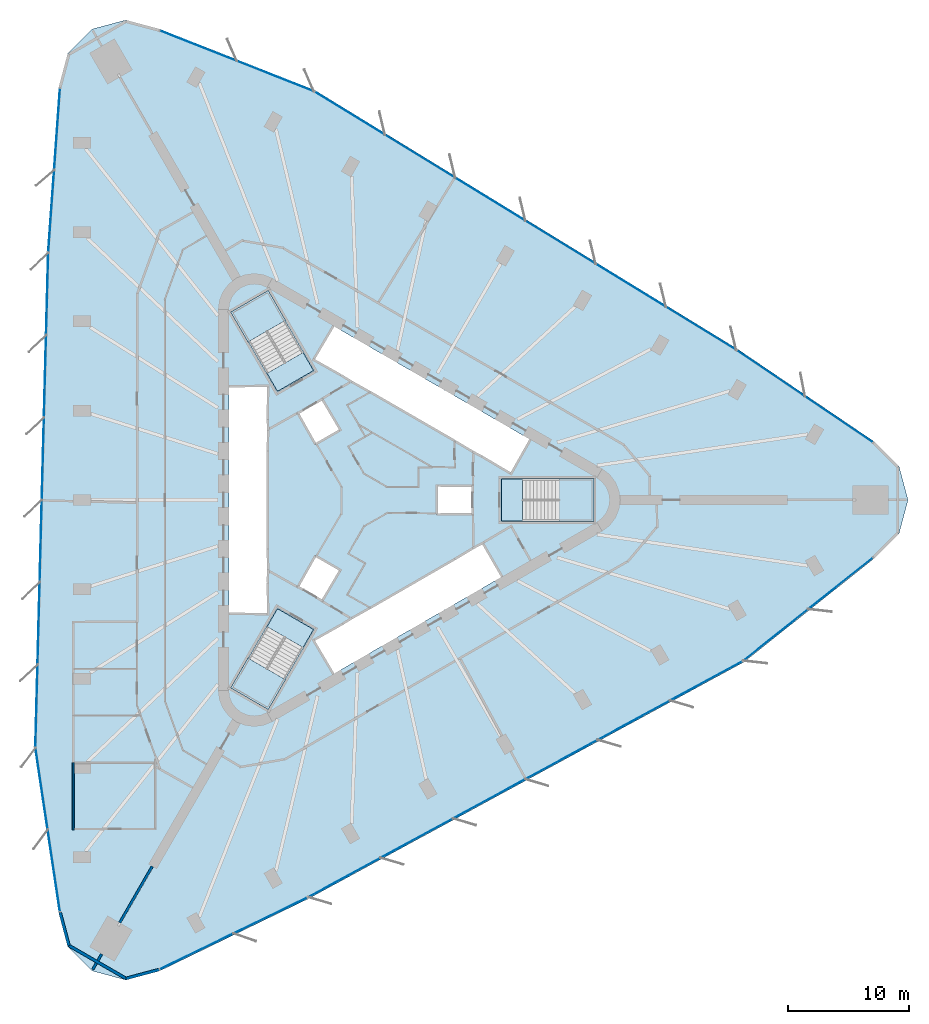
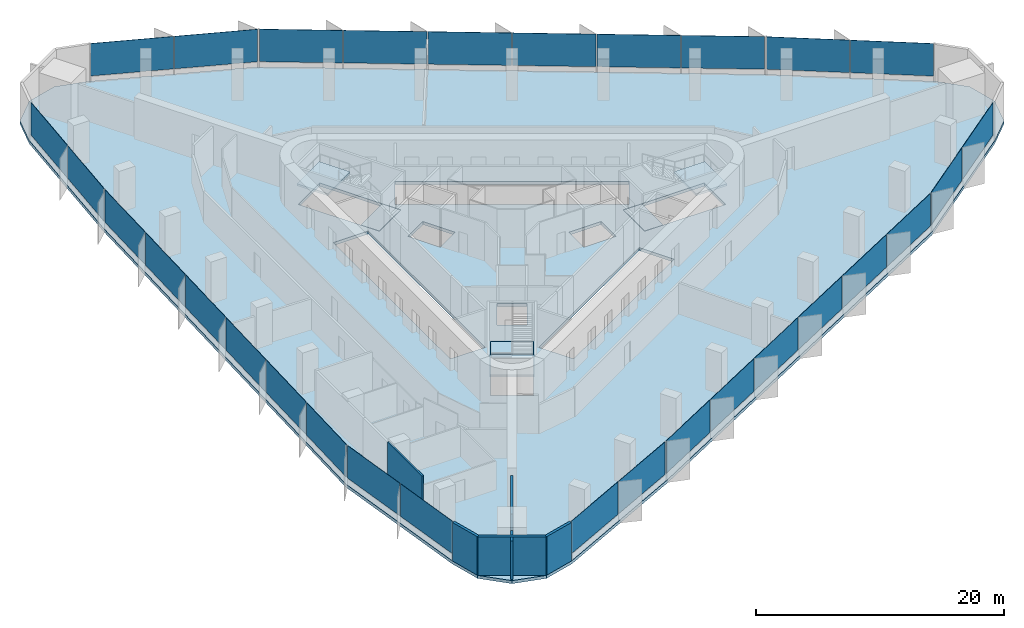
# One storey, part 7 of 13: 30 plates, 7 slabs, 7 walls, 12 elements without a shape of their own.
"""IFC4 building model written with IfcOpenShell, lengths in metres."""

from ifc_helpers import new_model, si_unit, direction, frame, frame_2d, origin, origin_2d, place, context, subcontext, project, spatial, polyline, rectangle, outline, extrude, material, layer, layer_set, type_object, element, aggregate, save


model = new_model("IFC4")

# Units and contexts
model_context = context("Model", 3, precision=1e-05, world=origin(), true_north=direction((0.0, 1.0)))
body_context = subcontext(model_context, "Body", "Model", "MODEL_VIEW")
ifc_project = project(units=[si_unit("LENGTHUNIT", "METRE"), si_unit("AREAUNIT", "SQUARE_METRE"), si_unit("VOLUMEUNIT", "CUBIC_METRE"), si_unit("PLANEANGLEUNIT", "RADIAN"), si_unit("MASSUNIT", "GRAM", prefix="KILO")], contexts=[model_context])

# Site, building, storey
site_placement = place(None, origin())
site = spatial("IfcSite", under=ifc_project, at=site_placement, CompositionType="ELEMENT")
building_placement = place(site_placement, origin())
building = spatial("IfcBuilding", under=site, at=building_placement, Name="Tanit Gate Tower", CompositionType="ELEMENT")
storey_placement = place(building_placement, frame((0.0, 0.0, 57.800048828125)))
storey = spatial("IfcBuildingStorey", under=building, at=storey_placement, Name="L10", CompositionType="ELEMENT", Elevation=57.800048828125)

# Slab
ifc_material_1 = material(Name="Concrete C35/45", Category="concrete")
ifc_layer_1 = layer(ifc_material_1, 0.300048828125)
ifc_layer_set_1 = layer_set([ifc_layer_1], Name="FLOOR SLAB 300 C35/45")
slab_type_1 = type_object("IfcSlabType", Name="FLOOR SLAB 300 C35/45", PredefinedType="FLOOR", material=ifc_layer_set_1)
slab_1_placement = place(storey_placement, frame((0.0, 0.0, -0.300048828125)))
element("IfcSlab", 1, at=slab_1_placement, inside=storey, type_object=slab_type_1, Name="FLOOR SLAB L10", PredefinedType="FLOOR", context=body_context, shape_type="SweptSolid", body=[
    extrude(outline(polyline([(42.225830078125, 4.82861328125), (44.2666015625, 2.78759765625), (45.013671875, 0.0), (44.2666015625, -2.78759765625), (42.225830078125, -4.82861328125), (31.4150390625, -13.427001953125), (-4.61083984375, -32.999267578125), (-16.931396484375, -38.98291015625), (-19.718994140625, -39.72998046875), (-22.5068359375, -38.98291015625), (-24.547607421875, -36.942138671875), (-25.29443359375, -34.154541015625), (-27.335693359375, -20.49267578125), (-26.272705078125, 20.49267578125), (-25.29443359375, 34.154541015625), (-24.547607421875, 36.942138671875), (-22.5068359375, 38.98291015625), (-19.718994140625, 39.72998046875), (-16.931396484375, 38.98291015625), (-4.079345703125, 33.919677734375), (30.883544921875, 12.506591796875), (42.225830078125, 4.82861328125)]), holes=[polyline([(11.3701171875, 1.72998046875), (18.929931640625, 1.72998046875), (18.929931640625, -1.72998046875), (11.3701171875, -1.72998046875), (11.3701171875, 1.72998046875)]), polyline([(-4.208984375, 11.60986328125), (-2.583984375, 14.424560546875), (13.783935546875, 4.974609375), (12.158935546875, 2.159912109375), (-4.208984375, 11.60986328125)]), polyline([(-4.208984375, -11.60986328125), (9.82080078125, -3.510009765625), (11.44580078125, -6.324462890625), (-2.583984375, -14.424560546875), (-4.208984375, -11.60986328125)]), polyline([(9.0, 1.199951171875), (9.0, -1.199951171875), (6.0, -1.199951171875), (6.0, 1.199951171875), (9.0, 1.199951171875)]), polyline([(-5.539306640625, 7.194091796875), (-3.460693359375, 8.394287109375), (-1.960693359375, 5.796142578125), (-4.039306640625, 4.59619140625), (-5.539306640625, 7.194091796875)]), polyline([(-1.960693359375, -5.796142578125), (-3.460693359375, -8.394287109375), (-5.539306640625, -7.194091796875), (-4.039306640625, -4.59619140625), (-1.960693359375, -5.796142578125)]), polyline([(-10.963134765625, 15.52880859375), (-7.966796875, 17.2587890625), (-4.186767578125, 10.711669921875), (-7.18310546875, 8.981689453125), (-10.963134765625, 15.52880859375)]), polyline([(-4.186767578125, -10.711669921875), (-7.966796875, -17.2587890625), (-10.963134765625, -15.52880859375), (-7.18310546875, -8.981689453125), (-4.186767578125, -10.711669921875)]), polyline([(-11.199951171875, -9.449951171875), (-11.199951171875, 9.449951171875), (-7.949951171875, 9.449951171875), (-7.949951171875, -9.449951171875), (-11.199951171875, -9.449951171875)])]), origin(), (0.0, 0.0, 1.0), 0.300048828125),
])

# Curtain wall, plates
ifc_material_2 = material(Name="Aluminium bronze anodised and glass", Category="aluminium")
curtain_wall_type = type_object("IfcCurtainWallType", Name="Curtain wall typical low", PredefinedType="NOTDEFINED", material=ifc_material_2)
curtain_wall_1_placement = place(storey_placement, origin())
curtain_wall_1 = element("IfcCurtainWall", 2, at=curtain_wall_1_placement, inside=storey, type_object=curtain_wall_type, Name="Curtain wall L10 NE1", PredefinedType="NOTDEFINED")
ifc_material_3 = material(Name="Glass tinted", Category="glass")
ifc_layer_2 = layer(ifc_material_3, 0.031982421875)
ifc_layer_set_2 = layer_set([ifc_layer_2], Name="Glass panel 32 typical low")
plate_type = type_object("IfcPlateType", Name="Glass panel 32 typical low", PredefinedType="CURTAIN_PANEL", material=ifc_layer_set_2)
plate_1_placement = place(storey_placement, frame((39.300048828125, 6.664306640625, 0.60009765625), z_axis=(0.0, 0.0, 1.0), x_axis=(-0.828104509627, 0.560573742816, 0.0)))
plate_1 = element("IfcPlate", 3, at=plate_1_placement, type_object=plate_type, Name="Glass panel L10 NE1.1", PredefinedType="CURTAIN_PANEL", context=body_context, shape_type="SweptSolid", body=[
    extrude(rectangle(XDim=6.72119140625, YDim=0.031982421875, at=origin_2d()), origin(), (0.0, 0.0, 1.0), 3.199951171875),
])
plate_2_placement = place(storey_placement, frame((33.667724609375, 10.476806640625, 0.60009765625), z_axis=(0.0, 0.0, 1.0), x_axis=(-0.828104509627, 0.560573742816, 0.0)))
plate_2 = element("IfcPlate", 4, at=plate_2_placement, type_object=plate_type, Name="Glass panel L10 NE1.2", PredefinedType="CURTAIN_PANEL", context=body_context, shape_type="SweptSolid", body=[
    extrude(rectangle(XDim=6.72119140625, YDim=0.031982421875, at=origin_2d()), origin(), (0.0, 0.0, 1.0), 3.199951171875),
])
aggregate(curtain_wall_1, [plate_1, plate_2])

curtain_wall_2_placement = place(storey_placement, origin())
curtain_wall_2 = element("IfcCurtainWall", 5, at=curtain_wall_2_placement, inside=storey, type_object=curtain_wall_type, Name="Curtain wall L10 NE2", PredefinedType="NOTDEFINED")
plate_3_placement = place(storey_placement, frame((27.87744140625, 14.206787109375, 0.60009765625), z_axis=(0.0, 0.0, 1.0), x_axis=(-0.852772356127, 0.522282786071, 0.0)))
plate_3 = element("IfcPlate", 6, at=plate_3_placement, type_object=plate_type, Name="Glass panel L10 NE2.1", PredefinedType="CURTAIN_PANEL", context=body_context, shape_type="SweptSolid", body=[
    extrude(rectangle(XDim=6.73779296875, YDim=0.031982421875, at=origin_2d()), origin(), (0.0, 0.0, 1.0), 3.199951171875),
])
plate_4_placement = place(storey_placement, frame((22.0634765625, 17.767578125, 0.60009765625), z_axis=(0.0, 0.0, 1.0), x_axis=(-0.852772356127, 0.522282786071, 0.0)))
plate_4 = element("IfcPlate", 7, at=plate_4_placement, type_object=plate_type, Name="Glass panel L10 NE2.2", PredefinedType="CURTAIN_PANEL", context=body_context, shape_type="SweptSolid", body=[
    extrude(rectangle(XDim=6.737548828125, YDim=0.031982421875, at=origin_2d()), origin(), (0.0, 0.0, 1.0), 3.199951171875),
])
plate_5_placement = place(storey_placement, frame((16.249755859375, 21.328369140625, 0.60009765625), z_axis=(0.0, 0.0, 1.0), x_axis=(-0.852772356127, 0.522282786071, 0.0)))
plate_5 = element("IfcPlate", 8, at=plate_5_placement, type_object=plate_type, Name="Glass panel L10 NE2.3", PredefinedType="CURTAIN_PANEL", context=body_context, shape_type="SweptSolid", body=[
    extrude(rectangle(XDim=6.73779296875, YDim=0.031982421875, at=origin_2d()), origin(), (0.0, 0.0, 1.0), 3.199951171875),
])
plate_6_placement = place(storey_placement, frame((10.435791015625, 24.88916015625, 0.60009765625), z_axis=(0.0, 0.0, 1.0), x_axis=(-0.852772356127, 0.522282786071, 0.0)))
plate_6 = element("IfcPlate", 9, at=plate_6_placement, type_object=plate_type, Name="Glass panel L10 NE2.4", PredefinedType="CURTAIN_PANEL", context=body_context, shape_type="SweptSolid", body=[
    extrude(rectangle(XDim=6.737548828125, YDim=0.031982421875, at=origin_2d()), origin(), (0.0, 0.0, 1.0), 3.199951171875),
])
plate_7_placement = place(storey_placement, frame((4.621826171875, 28.449951171875, 0.60009765625), z_axis=(0.0, 0.0, 1.0), x_axis=(-0.852772356127, 0.522282786071, 0.0)))
plate_7 = element("IfcPlate", 10, at=plate_7_placement, type_object=plate_type, Name="Glass panel L10 NE2.5", PredefinedType="CURTAIN_PANEL", context=body_context, shape_type="SweptSolid", body=[
    extrude(rectangle(XDim=6.73779296875, YDim=0.031982421875, at=origin_2d()), origin(), (0.0, 0.0, 1.0), 3.199951171875),
])
plate_8_placement = place(storey_placement, frame((-1.192138671875, 32.010498046875, 0.60009765625), z_axis=(0.0, 0.0, 1.0), x_axis=(-0.852772356127, 0.522282786071, 0.0)))
plate_8 = element("IfcPlate", 11, at=plate_8_placement, type_object=plate_type, Name="Glass panel L10 NE2.6", PredefinedType="CURTAIN_PANEL", context=body_context, shape_type="SweptSolid", body=[
    extrude(rectangle(XDim=6.737548828125, YDim=0.031982421875, at=origin_2d()), origin(), (0.0, 0.0, 1.0), 3.199951171875),
])
aggregate(curtain_wall_2, [plate_3, plate_4, plate_5, plate_6, plate_7, plate_8])

curtain_wall_3_placement = place(storey_placement, origin())
curtain_wall_3 = element("IfcCurtainWall", 12, at=curtain_wall_3_placement, inside=storey, type_object=curtain_wall_type, Name="Curtain wall L10 NE3", PredefinedType="NOTDEFINED")
plate_9_placement = place(storey_placement, frame((-7.36083984375, 35.08349609375, 0.60009765625), z_axis=(0.0, 0.0, 1.0), x_axis=(-0.930399205113, 0.366547840159, 0.0)))
plate_9 = element("IfcPlate", 13, at=plate_9_placement, type_object=plate_type, Name="Glass panel L10 NE3.1", PredefinedType="CURTAIN_PANEL", context=body_context, shape_type="SweptSolid", body=[
    extrude(rectangle(XDim=6.778076171875, YDim=0.031982421875, at=origin_2d()), origin(), (0.0, 0.0, 1.0), 3.199951171875),
])
plate_10_placement = place(storey_placement, frame((-13.741455078125, 37.59716796875, 0.60009765625), z_axis=(0.0, 0.0, 1.0), x_axis=(-0.930399205113, 0.366547840159, 0.0)))
plate_10 = element("IfcPlate", 14, at=plate_10_placement, type_object=plate_type, Name="Glass panel L10 NE3.2", PredefinedType="CURTAIN_PANEL", context=body_context, shape_type="SweptSolid", body=[
    extrude(rectangle(XDim=6.778076171875, YDim=0.031982421875, at=origin_2d()), origin(), (0.0, 0.0, 1.0), 3.199951171875),
])
aggregate(curtain_wall_3, [plate_9, plate_10])

curtain_wall_4_placement = place(storey_placement, origin())
curtain_wall_4 = element("IfcCurtainWall", 15, at=curtain_wall_4_placement, inside=storey, type_object=curtain_wall_type, Name="Curtain wall L10 W1", PredefinedType="NOTDEFINED")
plate_11_placement = place(storey_placement, frame((-25.42138671875, 30.70263671875, 0.60009765625), z_axis=(0.0, 0.0, 1.0), x_axis=(-0.07141884716, -0.997446413734, 0.0)))
plate_11 = element("IfcPlate", 16, at=plate_11_placement, type_object=plate_type, Name="Glass panel L10 W1.1", PredefinedType="CURTAIN_PANEL", context=body_context, shape_type="SweptSolid", body=[
    extrude(rectangle(XDim=6.72119140625, YDim=0.031982421875, at=origin_2d()), origin(), (0.0, 0.0, 1.0), 3.199951171875),
])
plate_12_placement = place(storey_placement, frame((-25.9072265625, 23.918701171875, 0.60009765625), z_axis=(0.0, 0.0, 1.0), x_axis=(-0.07141884716, -0.997446413734, 0.0)))
plate_12 = element("IfcPlate", 17, at=plate_12_placement, type_object=plate_type, Name="Glass panel L10 W1.2", PredefinedType="CURTAIN_PANEL", context=body_context, shape_type="SweptSolid", body=[
    extrude(rectangle(XDim=6.72119140625, YDim=0.031982421875, at=origin_2d()), origin(), (0.0, 0.0, 1.0), 3.199951171875),
])
aggregate(curtain_wall_4, [plate_11, plate_12])

curtain_wall_5_placement = place(storey_placement, origin())
curtain_wall_5 = element("IfcCurtainWall", 18, at=curtain_wall_5_placement, inside=storey, type_object=curtain_wall_type, Name="Curtain wall L10 W2", PredefinedType="NOTDEFINED")
plate_13_placement = place(storey_placement, frame((-26.2421875, 17.0390625, 0.60009765625), z_axis=(0.0, 0.0, 1.0), x_axis=(-0.025923982634, -0.999663917086, 0.0)))
plate_13 = element("IfcPlate", 19, at=plate_13_placement, type_object=plate_type, Name="Glass panel L10 W2.1", PredefinedType="CURTAIN_PANEL", context=body_context, shape_type="SweptSolid", body=[
    extrude(rectangle(XDim=6.73779296875, YDim=0.031982421875, at=origin_2d()), origin(), (0.0, 0.0, 1.0), 3.199951171875),
])
plate_14_placement = place(storey_placement, frame((-26.4189453125, 10.223876953125, 0.60009765625), z_axis=(0.0, 0.0, 1.0), x_axis=(-0.025923982634, -0.999663917086, 0.0)))
plate_14 = element("IfcPlate", 20, at=plate_14_placement, type_object=plate_type, Name="Glass panel L10 W2.2", PredefinedType="CURTAIN_PANEL", context=body_context, shape_type="SweptSolid", body=[
    extrude(rectangle(XDim=6.737548828125, YDim=0.031982421875, at=origin_2d()), origin(), (0.0, 0.0, 1.0), 3.199951171875),
])
plate_15_placement = place(storey_placement, frame((-26.595703125, 3.408447265625, 0.60009765625), z_axis=(0.0, 0.0, 1.0), x_axis=(-0.025923982634, -0.999663917086, 0.0)))
plate_15 = element("IfcPlate", 21, at=plate_15_placement, type_object=plate_type, Name="Glass panel L10 W2.3", PredefinedType="CURTAIN_PANEL", context=body_context, shape_type="SweptSolid", body=[
    extrude(rectangle(XDim=6.73779296875, YDim=0.031982421875, at=origin_2d()), origin(), (0.0, 0.0, 1.0), 3.199951171875),
])
plate_16_placement = place(storey_placement, frame((-26.7724609375, -3.406982421875, 0.60009765625), z_axis=(0.0, 0.0, 1.0), x_axis=(-0.025923982634, -0.999663917086, 0.0)))
plate_16 = element("IfcPlate", 22, at=plate_16_placement, type_object=plate_type, Name="Glass panel L10 W2.4", PredefinedType="CURTAIN_PANEL", context=body_context, shape_type="SweptSolid", body=[
    extrude(rectangle(XDim=6.737548828125, YDim=0.031982421875, at=origin_2d()), origin(), (0.0, 0.0, 1.0), 3.199951171875),
])
plate_17_placement = place(storey_placement, frame((-26.94921875, -10.22216796875, 0.60009765625), z_axis=(0.0, 0.0, 1.0), x_axis=(-0.025923982634, -0.999663917086, 0.0)))
plate_17 = element("IfcPlate", 23, at=plate_17_placement, type_object=plate_type, Name="Glass panel L10 W2.5", PredefinedType="CURTAIN_PANEL", context=body_context, shape_type="SweptSolid", body=[
    extrude(rectangle(XDim=6.73779296875, YDim=0.031982421875, at=origin_2d()), origin(), (0.0, 0.0, 1.0), 3.199951171875),
])
plate_18_placement = place(storey_placement, frame((-27.1259765625, -17.03759765625, 0.60009765625), z_axis=(0.0, 0.0, 1.0), x_axis=(-0.025923982634, -0.999663917086, 0.0)))
plate_18 = element("IfcPlate", 24, at=plate_18_placement, type_object=plate_type, Name="Glass panel L10 W2.6", PredefinedType="CURTAIN_PANEL", context=body_context, shape_type="SweptSolid", body=[
    extrude(rectangle(XDim=6.737548828125, YDim=0.031982421875, at=origin_2d()), origin(), (0.0, 0.0, 1.0), 3.199951171875),
])
aggregate(curtain_wall_5, [plate_13, plate_14, plate_15, plate_16, plate_17, plate_18])

curtain_wall_6_placement = place(storey_placement, origin())
curtain_wall_6 = element("IfcCurtainWall", 25, at=curtain_wall_6_placement, inside=storey, type_object=curtain_wall_type, Name="Curtain wall L10 W3", PredefinedType="NOTDEFINED")
plate_19_placement = place(storey_placement, frame((-26.702880859375, -23.916259765625, 0.60009765625), z_axis=(0.0, 0.0, 1.0), x_axis=(0.147759861276, -0.989023267368, 0.0)))
plate_19 = element("IfcPlate", 26, at=plate_19_placement, type_object=plate_type, Name="Glass panel L10 W3.1", PredefinedType="CURTAIN_PANEL", context=body_context, shape_type="SweptSolid", body=[
    extrude(rectangle(XDim=6.778076171875, YDim=0.031982421875, at=origin_2d()), origin(), (0.0, 0.0, 1.0), 3.199951171875),
])
plate_20_placement = place(storey_placement, frame((-25.689453125, -30.698974609375, 0.60009765625), z_axis=(0.0, 0.0, 1.0), x_axis=(0.147759861276, -0.989023267368, 0.0)))
plate_20 = element("IfcPlate", 27, at=plate_20_placement, type_object=plate_type, Name="Glass panel L10 W3.2", PredefinedType="CURTAIN_PANEL", context=body_context, shape_type="SweptSolid", body=[
    extrude(rectangle(XDim=6.778076171875, YDim=0.031982421875, at=origin_2d()), origin(), (0.0, 0.0, 1.0), 3.199951171875),
])
aggregate(curtain_wall_6, [plate_19, plate_20])

curtain_wall_7_placement = place(storey_placement, origin())
curtain_wall_7 = element("IfcCurtainWall", 28, at=curtain_wall_7_placement, inside=storey, type_object=curtain_wall_type, Name="Curtain wall L10 SE1", PredefinedType="NOTDEFINED")
plate_21_placement = place(storey_placement, frame((-13.878662109375, -37.366943359375, 0.60009765625), z_axis=(0.0, 0.0, 1.0), x_axis=(0.899523356787, 0.436872670918, 0.0)))
plate_21 = element("IfcPlate", 29, at=plate_21_placement, type_object=plate_type, Name="Glass panel L10 SE1.1", PredefinedType="CURTAIN_PANEL", context=body_context, shape_type="SweptSolid", body=[
    extrude(rectangle(XDim=6.72119140625, YDim=0.031982421875, at=origin_2d()), origin(), (0.0, 0.0, 1.0), 3.199951171875),
])
plate_22_placement = place(storey_placement, frame((-7.7607421875, -34.3955078125, 0.60009765625), z_axis=(0.0, 0.0, 1.0), x_axis=(0.899523356787, 0.436872670918, 0.0)))
plate_22 = element("IfcPlate", 30, at=plate_22_placement, type_object=plate_type, Name="Glass panel L10 SE1.2", PredefinedType="CURTAIN_PANEL", context=body_context, shape_type="SweptSolid", body=[
    extrude(rectangle(XDim=6.72119140625, YDim=0.031982421875, at=origin_2d()), origin(), (0.0, 0.0, 1.0), 3.199951171875),
])
aggregate(curtain_wall_7, [plate_21, plate_22])

curtain_wall_8_placement = place(storey_placement, origin())
curtain_wall_8 = element("IfcCurtainWall", 31, at=curtain_wall_8_placement, inside=storey, type_object=curtain_wall_type, Name="Curtain wall L10 SE2", PredefinedType="NOTDEFINED")
plate_23_placement = place(storey_placement, frame((-1.63525390625, -31.24609375, 0.60009765625), z_axis=(0.0, 0.0, 1.0), x_axis=(0.87869633876, 0.477381131015, 0.0)))
plate_23 = element("IfcPlate", 32, at=plate_23_placement, type_object=plate_type, Name="Glass panel L10 SE2.1", PredefinedType="CURTAIN_PANEL", context=body_context, shape_type="SweptSolid", body=[
    extrude(rectangle(XDim=6.73779296875, YDim=0.031982421875, at=origin_2d()), origin(), (0.0, 0.0, 1.0), 3.199951171875),
])
plate_24_placement = place(storey_placement, frame((4.35546875, -27.991455078125, 0.60009765625), z_axis=(0.0, 0.0, 1.0), x_axis=(0.87869633876, 0.477381131015, 0.0)))
plate_24 = element("IfcPlate", 33, at=plate_24_placement, type_object=plate_type, Name="Glass panel L10 SE2.2", PredefinedType="CURTAIN_PANEL", context=body_context, shape_type="SweptSolid", body=[
    extrude(rectangle(XDim=6.737548828125, YDim=0.031982421875, at=origin_2d()), origin(), (0.0, 0.0, 1.0), 3.199951171875),
])
plate_25_placement = place(storey_placement, frame((10.34619140625, -24.73681640625, 0.60009765625), z_axis=(0.0, 0.0, 1.0), x_axis=(0.87869633876, 0.477381131015, 0.0)))
plate_25 = element("IfcPlate", 34, at=plate_25_placement, type_object=plate_type, Name="Glass panel L10 SE2.3", PredefinedType="CURTAIN_PANEL", context=body_context, shape_type="SweptSolid", body=[
    extrude(rectangle(XDim=6.73779296875, YDim=0.031982421875, at=origin_2d()), origin(), (0.0, 0.0, 1.0), 3.199951171875),
])
plate_26_placement = place(storey_placement, frame((16.336669921875, -21.482177734375, 0.60009765625), z_axis=(0.0, 0.0, 1.0), x_axis=(0.87869633876, 0.477381131015, 0.0)))
plate_26 = element("IfcPlate", 35, at=plate_26_placement, type_object=plate_type, Name="Glass panel L10 SE2.4", PredefinedType="CURTAIN_PANEL", context=body_context, shape_type="SweptSolid", body=[
    extrude(rectangle(XDim=6.737548828125, YDim=0.031982421875, at=origin_2d()), origin(), (0.0, 0.0, 1.0), 3.199951171875),
])
plate_27_placement = place(storey_placement, frame((22.327392578125, -18.2275390625, 0.60009765625), z_axis=(0.0, 0.0, 1.0), x_axis=(0.87869633876, 0.477381131015, 0.0)))
plate_27 = element("IfcPlate", 36, at=plate_27_placement, type_object=plate_type, Name="Glass panel L10 SE2.5", PredefinedType="CURTAIN_PANEL", context=body_context, shape_type="SweptSolid", body=[
    extrude(rectangle(XDim=6.73779296875, YDim=0.031982421875, at=origin_2d()), origin(), (0.0, 0.0, 1.0), 3.199951171875),
])
plate_28_placement = place(storey_placement, frame((28.318115234375, -14.972900390625, 0.60009765625), z_axis=(0.0, 0.0, 1.0), x_axis=(0.87869633876, 0.477381131015, 0.0)))
plate_28 = element("IfcPlate", 37, at=plate_28_placement, type_object=plate_type, Name="Glass panel L10 SE2.6", PredefinedType="CURTAIN_PANEL", context=body_context, shape_type="SweptSolid", body=[
    extrude(rectangle(XDim=6.737548828125, YDim=0.031982421875, at=origin_2d()), origin(), (0.0, 0.0, 1.0), 3.199951171875),
])
aggregate(curtain_wall_8, [plate_23, plate_24, plate_25, plate_26, plate_27, plate_28])

curtain_wall_9_placement = place(storey_placement, origin())
curtain_wall_9 = element("IfcCurtainWall", 38, at=curtain_wall_9_placement, inside=storey, type_object=curtain_wall_type, Name="Curtain wall L10 SE3", PredefinedType="NOTDEFINED")
plate_29_placement = place(storey_placement, frame((34.0634765625, -11.167236328125, 0.60009765625), z_axis=(0.0, 0.0, 1.0), x_axis=(0.782639343837, 0.622475427209, 0.0)))
plate_29 = element("IfcPlate", 39, at=plate_29_placement, type_object=plate_type, Name="Glass panel L10 SE3.1", PredefinedType="CURTAIN_PANEL", context=body_context, shape_type="SweptSolid", body=[
    extrude(rectangle(XDim=6.778076171875, YDim=0.031982421875, at=origin_2d()), origin(), (0.0, 0.0, 1.0), 3.199951171875),
])
plate_30_placement = place(storey_placement, frame((39.430908203125, -6.898193359375, 0.60009765625), z_axis=(0.0, 0.0, 1.0), x_axis=(0.782639343837, 0.622475427209, 0.0)))
plate_30 = element("IfcPlate", 40, at=plate_30_placement, type_object=plate_type, Name="Glass panel L10 SE3.2", PredefinedType="CURTAIN_PANEL", context=body_context, shape_type="SweptSolid", body=[
    extrude(rectangle(XDim=6.778076171875, YDim=0.031982421875, at=origin_2d()), origin(), (0.0, 0.0, 1.0), 3.199951171875),
])
aggregate(curtain_wall_9, [plate_29, plate_30])

# Stair, slab
ifc_material_4 = material(Name="Concrete C40/50", Category="concrete")
stair_type = type_object("IfcStairType", Name="INT-STAIR-EXIT", PredefinedType="HALF_TURN_STAIR", material=ifc_material_4)
stair_1_placement = place(storey_placement, origin())
stair_1 = element("IfcStair", 41, at=stair_1_placement, inside=storey, type_object=stair_type, Name="L10 STAIR S1", PredefinedType="HALF_TURN_STAIR")
ifc_material_5 = material(Name="Concrete C40/50", Category="concrete")
ifc_layer_3 = layer(ifc_material_5, 0.199951171875)
ifc_layer_set_3 = layer_set([ifc_layer_3], Name="INT-STAIR-LANDING")
slab_type_2 = type_object("IfcSlabType", Name="INT-STAIR-LANDING", PredefinedType="LANDING", material=ifc_layer_set_3)
slab_2_placement = place(storey_placement, frame((0.0, 0.0, 1.849853515625)))
slab_2 = element("IfcSlab", 42, at=slab_2_placement, type_object=slab_type_2, Name="S1 landing 1", PredefinedType="LANDING", context=body_context, shape_type="SweptSolid", body=[
    extrude(outline(polyline([(16.135986328125, -1.800048828125), (19.0, -1.800048828125), (19.0, 1.800048828125), (16.135986328125, 1.800048828125), (16.135986328125, -1.800048828125)])), origin(), (0.0, 0.0, 1.0), 0.2001953125),
])
aggregate(stair_1, [slab_2])

# Slab
slab_3_placement = place(storey_placement, frame((0.0, 0.0, -0.199951171875)))
element("IfcSlab", 43, at=slab_3_placement, inside=storey, type_object=slab_type_2, Name="S1 floor landing", PredefinedType="LANDING", context=body_context, shape_type="SweptSolid", body=[
    extrude(outline(polyline([(11.3798828125, -1.719970703125), (13.10498046875, -1.719970703125), (13.10498046875, 1.719970703125), (11.3798828125, 1.719970703125), (11.3798828125, -1.719970703125)])), origin(), (0.0, 0.0, 1.0), 0.199951171875),
])

# Stair, slab
stair_2_placement = place(storey_placement, origin())
stair_2 = element("IfcStair", 44, at=stair_2_placement, inside=storey, type_object=stair_type, Name="L10 STAIR S2", PredefinedType="HALF_TURN_STAIR")
slab_4_placement = place(storey_placement, frame((0.0, 0.0, 1.849853515625)))
slab_4 = element("IfcSlab", 45, at=slab_4_placement, type_object=slab_type_2, Name="S2 landing 1", PredefinedType="LANDING", context=body_context, shape_type="SweptSolid", body=[
    extrude(outline(polyline([(-6.5078125, 14.871826171875), (-7.941162109375, 17.3544921875), (-11.058837890625, 15.554443359375), (-9.62548828125, 13.07177734375), (-6.5078125, 14.871826171875)])), origin(), (0.0, 0.0, 1.0), 0.2001953125),
])
aggregate(stair_2, [slab_4])

# Slab
slab_5_placement = place(storey_placement, frame((0.0, 0.0, -0.199951171875)))
element("IfcSlab", 46, at=slab_5_placement, inside=storey, type_object=slab_type_2, Name="S2 floor landing", PredefinedType="LANDING", context=body_context, shape_type="SweptSolid", body=[
    extrude(outline(polyline([(-4.200439453125, 10.71533203125), (-5.0625, 12.20849609375), (-8.04150390625, 10.48828125), (-7.179443359375, 8.995361328125), (-4.200439453125, 10.71533203125)])), origin(), (0.0, 0.0, 1.0), 0.199951171875),
])

# Stair, slab
stair_3_placement = place(storey_placement, origin())
stair_3 = element("IfcStair", 47, at=stair_3_placement, inside=storey, type_object=stair_type, Name="L10 STAIR S3", PredefinedType="HALF_TURN_STAIR")
slab_6_placement = place(storey_placement, frame((0.0, 0.0, 1.849853515625)))
slab_6 = element("IfcSlab", 48, at=slab_6_placement, type_object=slab_type_2, Name="S3 landing 1", PredefinedType="LANDING", context=body_context, shape_type="SweptSolid", body=[
    extrude(outline(polyline([(-9.626953125, -13.07421875), (-11.058837890625, -15.554443359375), (-7.941162109375, -17.3544921875), (-6.509033203125, -14.874267578125), (-9.626953125, -13.07421875)])), origin(), (0.0, 0.0, 1.0), 0.2001953125),
])
aggregate(stair_3, [slab_6])

# Slab
slab_7_placement = place(storey_placement, frame((0.0, 0.0, -0.199951171875)))
element("IfcSlab", 49, at=slab_7_placement, inside=storey, type_object=slab_type_2, Name="S3 floor landing", PredefinedType="LANDING", context=body_context, shape_type="SweptSolid", body=[
    extrude(outline(polyline([(-7.179443359375, -8.995361328125), (-8.0419921875, -10.4892578125), (-5.06298828125, -12.209228515625), (-4.200439453125, -10.71533203125), (-7.179443359375, -8.995361328125)])), origin(), (0.0, 0.0, 1.0), 0.199951171875),
])

# Walls
ifc_material_6 = material(Name="Concrete C30/37 with bronze anodised aluminium cladding", Category="concrete")
ifc_layer_4 = layer(ifc_material_6, 0.239990234375)
ifc_layer_set_4 = layer_set([ifc_layer_4], Name="Facade wall bronze clad 240")
wall_type_1 = type_object("IfcWallType", Name="Facade wall bronze clad 240", PredefinedType="SOLIDWALL", material=ifc_layer_set_4)
wall_1_placement = place(storey_placement, frame((-25.1767578125, -34.1298828125, 0.0), z_axis=(0.0, 0.0, 1.0), x_axis=(0.258783231513, -0.9659354218, 0.0)))
element("IfcWall", 50, at=wall_1_placement, inside=storey, type_object=wall_type_1, Name="Bronze-clad facade wall L10 SW.arc1", PredefinedType="SOLIDWALL", context=body_context, shape_type="SweptSolid", body=[
    extrude(rectangle(XDim=2.84716796875, YDim=0.239990234375, at=frame_2d((1.423583984375, 0.0))), origin(), (0.0, 0.0, 1.0), 3.800048828125),
])
wall_2_placement = place(storey_placement, frame((-24.43994140625, -36.880126953125, 0.0), z_axis=(0.0, 0.0, 1.0), x_axis=(0.866029712004, -0.499992537871, 0.0)))
element("IfcWall", 51, at=wall_2_placement, inside=storey, type_object=wall_type_1, Name="Bronze-clad facade wall L10 SW.arc2", PredefinedType="SOLIDWALL", context=body_context, shape_type="SweptSolid", body=[
    extrude(rectangle(XDim=5.451171875, YDim=0.239990234375, at=frame_2d((2.7255859375, 0.0))), origin(), (0.0, 0.0, 1.0), 3.800048828125),
])
wall_3_placement = place(storey_placement, frame((-19.718994140625, -39.605712890625, 0.0), z_axis=(0.0, 0.0, 1.0), x_axis=(0.965933483463, 0.258790466448, 0.0)))
element("IfcWall", 52, at=wall_3_placement, inside=storey, type_object=wall_type_1, Name="Bronze-clad facade wall L10 SW.arc3", PredefinedType="SOLIDWALL", context=body_context, shape_type="SweptSolid", body=[
    extrude(rectangle(XDim=2.842529296875, YDim=0.239990234375, at=frame_2d((1.42138671875, 0.0))), origin(), (0.0, 0.0, 1.0), 3.800048828125),
])
ifc_material_7 = material(Name="Fire-rated gypsum board partition")
ifc_layer_5 = layer(ifc_material_7, 0.199951171875)
ifc_layer_set_5 = layer_set([ifc_layer_5], Name="INT-WALL-COMPARTMENT")
wall_type_2 = type_object("IfcWallType", Name="INT-WALL-COMPARTMENT", PredefinedType="PARTITIONING", material=ifc_layer_set_5)
wall_4_placement = place(storey_placement, frame((-17.54296875, -30.3251953125, 0.0), z_axis=(0.0, 0.0, 1.0), x_axis=(-0.500014458952, -0.866017055744, 0.0)))
element("IfcWall", 53, at=wall_4_placement, inside=storey, type_object=wall_type_2, Name="Wall Compartment W115", PredefinedType="PARTITIONING", context=body_context, shape_type="SweptSolid", body=[
    extrude(rectangle(XDim=5.379638671875, YDim=0.199951171875, at=frame_2d((2.68994140625, 0.0))), origin(), (0.0, 0.0, 1.0), 3.369873046875),
])
wall_5_placement = place(storey_placement, frame((-21.73291015625, -37.582275390625, 0.0), z_axis=(0.0, 0.0, 1.0), x_axis=(-0.49966612908, -0.86621807846, 0.0)))
element("IfcWall", 54, at=wall_5_placement, inside=storey, type_object=wall_type_2, Name="Wall Compartment W114", PredefinedType="PARTITIONING", context=body_context, shape_type="SweptSolid", body=[
    extrude(rectangle(XDim=0.62548828125, YDim=0.199951171875, at=frame_2d((0.312744140625, 0.0))), origin(), (0.0, 0.0, 1.0), 3.800048828125),
])
wall_6_placement = place(storey_placement, frame((-22.16552734375, -38.331787109375, 0.0), z_axis=(0.0, 0.0, 1.0), x_axis=(-0.499757541684, -0.866165341912, 0.0)))
element("IfcWall", 55, at=wall_6_placement, inside=storey, type_object=wall_type_2, Name="Wall Compartment W114x1", PredefinedType="PARTITIONING", context=body_context, shape_type="SweptSolid", body=[
    extrude(rectangle(XDim=0.602294921875, YDim=0.199951171875, at=frame_2d((0.30126953125, 0.0))), origin(), (0.0, 0.0, 1.0), 3.800048828125),
])
ifc_material_8 = material(Name="Fire-rated gypsum board partition")
ifc_layer_6 = layer(ifc_material_8, 0.14990234375)
ifc_layer_set_6 = layer_set([ifc_layer_6], Name="INT-WALL-RISER")
wall_type_3 = type_object("IfcWallType", Name="INT-WALL-RISER", PredefinedType="PLUMBINGWALL", material=ifc_layer_set_6)
wall_7_placement = place(storey_placement, frame((-24.080078125, -27.304931640625, 0.0), z_axis=(0.0, 0.0, 1.0), x_axis=(0.0, 1.0, 0.0)))
element("IfcWall", 56, at=wall_7_placement, inside=storey, type_object=wall_type_3, Name="Wall Riser W121", PredefinedType="PLUMBINGWALL", context=body_context, shape_type="SweptSolid", body=[
    extrude(rectangle(XDim=5.57177734375, YDim=0.14990234375, at=frame_2d((2.785888671875, 0.0))), origin(), (0.0, 0.0, 1.0), 3.800048828125),
])

save(model, "model.ifc")
